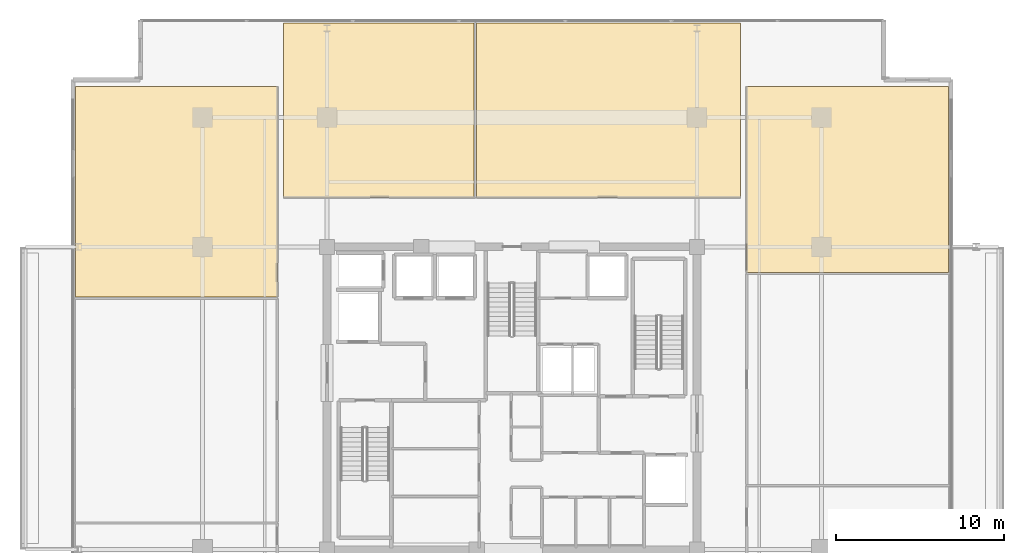
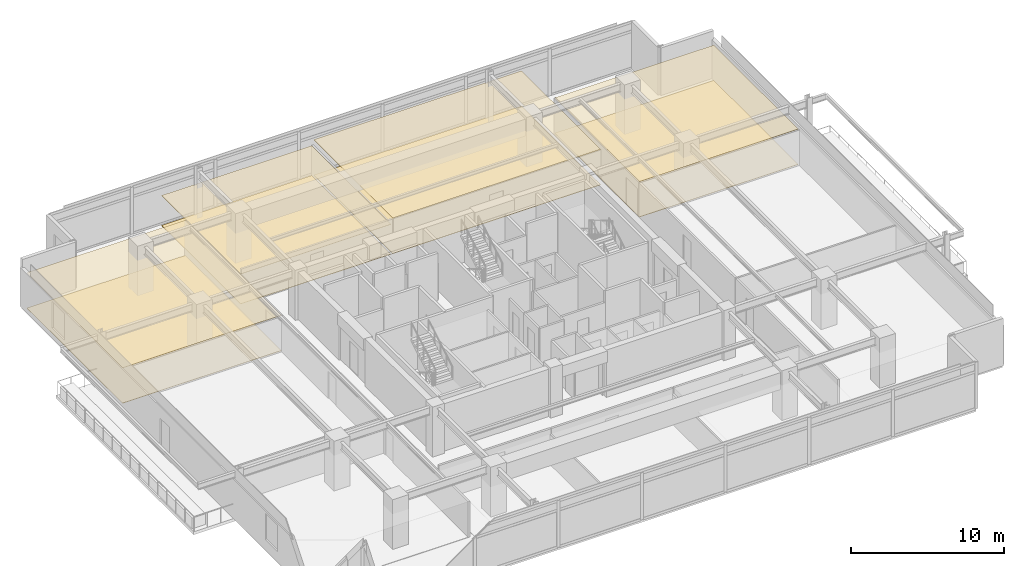
# One storey, part 24 of 24: 8 coverings.
"""IFC4 building model written with IfcOpenShell, lengths in metres."""

import ifcopenshell
import ifcopenshell.guid

model = None  # the IFC model being written
_history = None  # IfcOwnerHistory: only IFC2X3 demands one
_inside = {}  # id of a spatial element -> (the spatial element, [elements in it])
_under = {}  # id of a project, library or spatial element -> (it, [spatial elements below it])
_declared = {}  # id of a project -> (the project, [libraries it declares])
_typed = {}  # id of a type object -> (the type object, [elements of that type])
_made_of = {}  # id of a material, layer set ... -> (it, [elements and type objects made of it])


def new_model(schema):
    """Start an empty IFC model of exactly this schema.

    Asked for "IFC4X3", IfcOpenShell would pick the latest addendum, in which some entities
    have other attributes; the version numbers below select the first issue.
    IFC2X3 requires an IfcOwnerHistory on every rooted entity: one is made here for all.
    """
    global model, _history
    if schema == "IFC4X3":
        model = ifcopenshell.file(schema_version=(4, 3, 0, 0))
    else:
        model = ifcopenshell.file(schema=schema)
    _inside.clear()
    _under.clear()
    _declared.clear()
    _typed.clear()
    _made_of.clear()
    _history = None
    if model.schema == "IFC2X3":
        org = make("IfcOrganization", Name="unknown")
        user = make(
            "IfcPersonAndOrganization",
            ThePerson=make("IfcPerson", FamilyName="unknown"),
            TheOrganization=org,
        )
        app = make(
            "IfcApplication",
            ApplicationDeveloper=org,
            Version="unknown",
            ApplicationFullName="unknown",
            ApplicationIdentifier="unknown",
        )
        _history = make(
            "IfcOwnerHistory",
            OwningUser=user,
            OwningApplication=app,
            ChangeAction="ADDED",
            CreationDate=0,
        )
    return model


def make(cls, **values):
    """One entity of the class cls with the attributes given. An attribute that is None is left unset."""
    return model.create_entity(
        cls, **{name: value for name, value in values.items() if value is not None}
    )


def rooted(cls, **values):
    """An entity with a GlobalId (a new one), such as an element, a storey or a relation."""
    return make(cls, GlobalId=ifcopenshell.guid.new(), OwnerHistory=_history, **values)


def si_unit(unit_type, name, prefix=None):
    """IfcSIUnit, for example si_unit("LENGTHUNIT", "METRE", prefix="MILLI")."""
    return make("IfcSIUnit", UnitType=unit_type, Prefix=prefix, Name=name)


def assignment(units):
    """IfcUnitAssignment: the units of a project."""
    return None if units is None else make("IfcUnitAssignment", Units=units)


def point(xyz):
    """IfcCartesianPoint."""
    return None if xyz is None else make("IfcCartesianPoint", Coordinates=xyz)


def direction(xyz):
    """IfcDirection."""
    return None if xyz is None else make("IfcDirection", DirectionRatios=xyz)


def frame(location, z_axis=None, x_axis=None):
    """IfcAxis2Placement3D, a coordinate frame: its origin and axes. An axis left out is left unset."""
    return make(
        "IfcAxis2Placement3D",
        Location=point(location),
        Axis=direction(z_axis),
        RefDirection=direction(x_axis),
    )


def origin():
    """The frame at (0, 0, 0) with its axes left unset."""
    return frame((0.0, 0.0, 0.0))


def place(relative_to, where):
    """IfcLocalPlacement: puts the frame where relative to a parent placement (None: the world)."""
    return make(
        "IfcLocalPlacement", PlacementRelTo=relative_to, RelativePlacement=where
    )


def context(
    kind, dimensions, precision=None, world=None, true_north=None, identifier=None
):
    """IfcGeometricRepresentationContext, for example the 3D "Model" context."""
    return make(
        "IfcGeometricRepresentationContext",
        ContextIdentifier=identifier,
        ContextType=kind,
        CoordinateSpaceDimension=dimensions,
        Precision=precision,
        WorldCoordinateSystem=world,
        TrueNorth=true_north,
    )


def subcontext(parent, identifier, kind, view, scale=None):
    """IfcGeometricRepresentationSubContext, for example "Body" below "Model"."""
    return make(
        "IfcGeometricRepresentationSubContext",
        ContextIdentifier=identifier,
        ContextType=kind,
        ParentContext=parent,
        TargetScale=scale,
        TargetView=view,
    )


def project(units=None, contexts=None):
    """IfcProject with its units and contexts."""
    return rooted(
        "IfcProject",
        Name="project",
        RepresentationContexts=contexts,
        UnitsInContext=assignment(units),
    )


def spatial(cls, under=None, at=None, **own):
    """A site, building, storey or space (cls), placed at a placement, below another one or the project."""
    s = rooted(cls, ObjectPlacement=at, **own)
    if under is not None:
        _under.setdefault(under.id(), (under, []))[1].append(s)
    return s


def polyline(points):
    """IfcPolyline through the points."""
    return make("IfcPolyline", Points=[point(p) for p in points])


def outline(outer, holes=None, kind="AREA"):
    """IfcArbitraryClosedProfileDef: a profile drawn as a closed curve; with holes, ...WithVoids."""
    if holes is None:
        return make("IfcArbitraryClosedProfileDef", ProfileType=kind, OuterCurve=outer)
    return make(
        "IfcArbitraryProfileDefWithVoids",
        ProfileType=kind,
        OuterCurve=outer,
        InnerCurves=holes,
    )


def extrude(swept, where, along, depth):
    """IfcExtrudedAreaSolid: the profile swept, set in the frame where, extruded along a direction by depth."""
    return make(
        "IfcExtrudedAreaSolid",
        SweptArea=swept,
        Position=where,
        ExtrudedDirection=direction(along),
        Depth=depth,
    )


def shape(context_of_items, identifier, shape_type, items):
    """IfcShapeRepresentation: the items that make up one representation, for example the "Body"."""
    return make(
        "IfcShapeRepresentation",
        ContextOfItems=context_of_items,
        RepresentationIdentifier=identifier,
        RepresentationType=shape_type,
        Items=items,
    )


def material(Name=None, Category=None):
    """IfcMaterial."""
    return make("IfcMaterial", Name=Name, Category=Category)


def layer(
    of_material, thickness, ventilated=None, Name=None, Category=None, Priority=None
):
    """IfcMaterialLayer: one layer of a wall or slab, of a material (None: an air gap)."""
    return make(
        "IfcMaterialLayer",
        Material=of_material,
        LayerThickness=thickness,
        IsVentilated=ventilated,
        Name=Name,
        Category=Category,
        Priority=Priority,
    )


def layer_set(layers, Name=None):
    """IfcMaterialLayerSet."""
    return make("IfcMaterialLayerSet", MaterialLayers=layers, LayerSetName=Name)


def made_of(thing, what):
    """Note that an element or type object is made of a material, layer set ...; save() writes the relation."""
    if what is not None:
        _made_of.setdefault(what.id(), (what, []))[1].append(thing)
    return thing


def type_object(cls, material=None, **own):
    """A type object (cls), such as IfcWallType, which elements share."""
    return made_of(rooted(cls, **own), material)


def element(
    cls,
    number,
    at=None,
    inside=None,
    cuts=None,
    type_object=None,
    material=None,
    context=None,
    identifier="Body",
    shape_type=None,
    held_by="IfcProductDefinitionShape",
    body=None,
    shapes=None,
    **own,
):
    """One element of the class cls, such as IfcWall. Its Tag is "e" and its number.

    at: its placement. inside: the storey or other place that contains it. cuts: it is an
    opening in that element (IfcRelVoidsElement). A single representation is given by context,
    identifier, shape_type and body (its items); several are given by shapes. held_by: the class
    of the entity that holds the representations. save() writes the other relations.
    """
    e = rooted(cls, Tag="e%d" % number, ObjectPlacement=at, **own)
    if body is not None:
        shapes = [shape(context, identifier, shape_type, body)]
    if shapes is not None:
        e.Representation = make(held_by, Representations=shapes)
    if inside is not None:
        _inside.setdefault(inside.id(), (inside, []))[1].append(e)
    if cuts is not None:
        rooted(
            "IfcRelVoidsElement", RelatingBuildingElement=cuts, RelatedOpeningElement=e
        )
    if type_object is not None:
        _typed.setdefault(type_object.id(), (type_object, []))[1].append(e)
    return made_of(e, material)


def aggregate(whole, parts):
    """IfcRelAggregates: a whole, such as a stair, and the parts it consists of."""
    return rooted("IfcRelAggregates", RelatingObject=whole, RelatedObjects=parts)


def save(model, path):
    """Write the relations noted so far, then the file.

    IfcRelAggregates (storeys below a building ...), IfcRelContainedInSpatialStructure (elements
    in a storey), IfcRelDefinesByType, IfcRelAssociatesMaterial and IfcRelDeclares: one each for
    every whole, place, type object, material and project.
    """
    for whole, parts in _under.values():
        aggregate(whole, parts)
    for where, things in _inside.values():
        rooted(
            "IfcRelContainedInSpatialStructure",
            RelatedElements=things,
            RelatingStructure=where,
        )
    for kind, things in _typed.values():
        rooted("IfcRelDefinesByType", RelatedObjects=things, RelatingType=kind)
    for what, things in _made_of.values():
        rooted("IfcRelAssociatesMaterial", RelatedObjects=things, RelatingMaterial=what)
    for by, libraries in _declared.values():
        rooted("IfcRelDeclares", RelatingContext=by, RelatedDefinitions=libraries)
    model.write(path)


model = new_model("IFC4")

# Units and contexts
model_context = context("Model", 3, precision=1e-05, world=origin(), true_north=direction((0.0, 1.0)))
body_context = subcontext(model_context, "Body", "Model", "MODEL_VIEW")
ifc_project = project(units=[si_unit("LENGTHUNIT", "METRE"), si_unit("AREAUNIT", "SQUARE_METRE"), si_unit("VOLUMEUNIT", "CUBIC_METRE"), si_unit("PLANEANGLEUNIT", "RADIAN"), si_unit("MASSUNIT", "GRAM", prefix="KILO")], contexts=[model_context])

# Site, building, storey
site_placement = place(None, origin())
site = spatial("IfcSite", under=ifc_project, at=site_placement, CompositionType="ELEMENT")
building_placement = place(site_placement, origin())
building = spatial("IfcBuilding", under=site, at=building_placement, Name="Kovane Verandah Tower", CompositionType="ELEMENT")
storey_placement = place(building_placement, frame((0.0, 0.0, 271.199951171875)))
storey = spatial("IfcBuildingStorey", under=building, at=storey_placement, Name="L63", CompositionType="ELEMENT", Elevation=271.199951171875)

# Coverings
ifc_material_1 = material(Name="Perforated Acoustic Mineral-Fibre Ceiling Tile", Category="gypsum")
ifc_layer_1 = layer(ifc_material_1, 0.02490234375)
ifc_layer_set_1 = layer_set([ifc_layer_1], Name="Perforated Acoustic Mineral-Fibre Ceiling Tile")
covering_type_1 = type_object("IfcCoveringType", Name="CV-CEIL-25", PredefinedType="CEILING", material=ifc_layer_set_1)
covering_1_placement = place(storey_placement, frame((0.0, 0.0, 2.39013671875)))
element("IfcCovering", 1, at=covering_1_placement, inside=storey, type_object=covering_type_1, Name="L63 Open Plan Office N1 Acoustic Ceiling", PredefinedType="CEILING", context=body_context, shape_type="SweptSolid", body=[
    extrude(outline(polyline([(26.39990234375, 39.449951171875), (37.75390625, 39.449951171875), (37.75390625, 49.799560546875), (26.39990234375, 49.799560546875), (26.39990234375, 39.449951171875)])), origin(), (0.0, 0.0, 1.0), 0.02490234375),
])
covering_2_placement = place(storey_placement, frame((0.0, 0.0, 2.824951171875)))
element("IfcCovering", 2, at=covering_2_placement, inside=storey, type_object=covering_type_1, Name="L63 Executive Office N2 Acoustic Ceiling", PredefinedType="CEILING", context=body_context, shape_type="SweptSolid", body=[
    extrude(outline(polyline([(37.89404296875, 39.449951171875), (53.60009765625, 39.449951171875), (53.60009765625, 49.799560546875), (37.89404296875, 49.799560546875), (37.89404296875, 39.449951171875)])), origin(), (0.0, 0.0, 1.0), 0.025146484375),
])
covering_3_placement = place(storey_placement, frame((0.0, 0.0, 2.824951171875)))
element("IfcCovering", 3, at=covering_3_placement, inside=storey, type_object=covering_type_1, Name="L63 Document and Print Room W3 Acoustic Ceiling", PredefinedType="CEILING", context=body_context, shape_type="SweptSolid", body=[
    extrude(outline(polyline([(14.042724609375, 33.505859375), (26.050048828125, 33.505859375), (26.050048828125, 46.049560546875), (14.042724609375, 46.049560546875), (14.042724609375, 33.505859375)])), origin(), (0.0, 0.0, 1.0), 0.025146484375),
])
covering_4_placement = place(storey_placement, frame((0.0, 0.0, 2.824951171875)))
element("IfcCovering", 4, at=covering_4_placement, inside=storey, type_object=covering_type_1, Name="L63 Client Boardroom E3 Acoustic Ceiling", PredefinedType="CEILING", context=body_context, shape_type="SweptSolid", body=[
    extrude(outline(polyline([(53.949951171875, 34.98974609375), (65.957275390625, 34.98974609375), (65.957275390625, 46.049560546875), (53.949951171875, 46.049560546875), (53.949951171875, 34.98974609375)])), origin(), (0.0, 0.0, 1.0), 0.025146484375),
])
ifc_material_2 = material(Name="Polished Terrazzo and Raised-Access Carpet Tile Finish", Category="concrete")
ifc_layer_2 = layer(ifc_material_2, 0.030029296875)
ifc_layer_set_2 = layer_set([ifc_layer_2], Name="Polished Terrazzo and Raised-Access Carpet Tile Finish")
covering_type_2 = type_object("IfcCoveringType", Name="CV-FLOR-30", PredefinedType="FLOORING", material=ifc_layer_set_2)
covering_5_placement = place(storey_placement, origin())
element("IfcCovering", 5, at=covering_5_placement, inside=storey, type_object=covering_type_2, Name="L63 Open Plan Office N1 Floor Finish", PredefinedType="FLOORING", context=body_context, shape_type="SweptSolid", body=[
    extrude(outline(polyline([(26.39990234375, 39.449951171875), (37.75390625, 39.449951171875), (37.75390625, 49.799560546875), (26.39990234375, 49.799560546875), (26.39990234375, 39.449951171875)])), origin(), (0.0, 0.0, 1.0), 0.030029296875),
])
covering_6_placement = place(storey_placement, origin())
element("IfcCovering", 6, at=covering_6_placement, inside=storey, type_object=covering_type_2, Name="L63 Executive Office N2 Floor Finish", PredefinedType="FLOORING", context=body_context, shape_type="SweptSolid", body=[
    extrude(outline(polyline([(37.89404296875, 39.449951171875), (53.60009765625, 39.449951171875), (53.60009765625, 49.799560546875), (37.89404296875, 49.799560546875), (37.89404296875, 39.449951171875)])), origin(), (0.0, 0.0, 1.0), 0.030029296875),
])
covering_7_placement = place(storey_placement, origin())
element("IfcCovering", 7, at=covering_7_placement, inside=storey, type_object=covering_type_2, Name="L63 Document and Print Room W3 Floor Finish", PredefinedType="FLOORING", context=body_context, shape_type="SweptSolid", body=[
    extrude(outline(polyline([(14.042724609375, 33.505859375), (26.050048828125, 33.505859375), (26.050048828125, 46.049560546875), (14.042724609375, 46.049560546875), (14.042724609375, 33.505859375)])), origin(), (0.0, 0.0, 1.0), 0.030029296875),
])
covering_8_placement = place(storey_placement, origin())
element("IfcCovering", 8, at=covering_8_placement, inside=storey, type_object=covering_type_2, Name="L63 Client Boardroom E3 Floor Finish", PredefinedType="FLOORING", context=body_context, shape_type="SweptSolid", body=[
    extrude(outline(polyline([(53.949951171875, 34.98974609375), (65.957275390625, 34.98974609375), (65.957275390625, 46.049560546875), (53.949951171875, 46.049560546875), (53.949951171875, 34.98974609375)])), origin(), (0.0, 0.0, 1.0), 0.030029296875),
])

save(model, "model.ifc")
